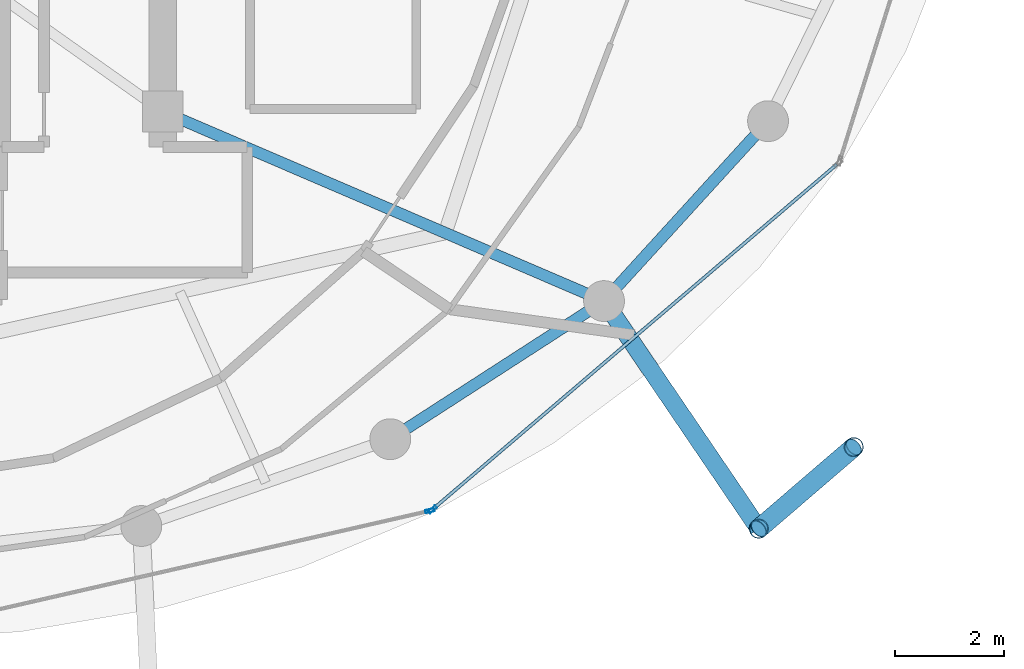
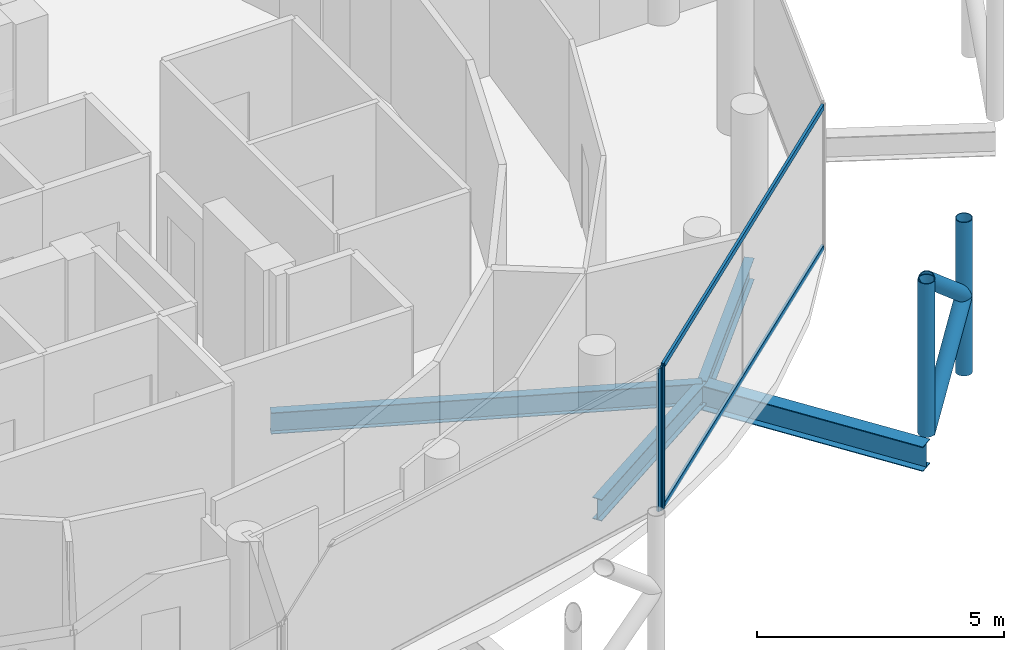
# One storey, part 9 of 24: 8 members, 4 beams, 2 elements without a shape of their own.
"""IFC4 building model written with IfcOpenShell, lengths in metres."""

from ifc_helpers import new_model, si_unit, direction, frame, origin, origin_2d, place, context, subcontext, project, spatial, hollow_rectangle, hollow_circle, i_section, extrude, material, layer, layer_set, material_profile, profile_set, type_object, element, aggregate, save


model = new_model("IFC4")

# Units and contexts
model_context = context("Model", 3, precision=1e-05, world=origin(), true_north=direction((0.0, 1.0)))
body_context = subcontext(model_context, "Body", "Model", "MODEL_VIEW")
ifc_project = project(units=[si_unit("LENGTHUNIT", "METRE"), si_unit("AREAUNIT", "SQUARE_METRE"), si_unit("VOLUMEUNIT", "CUBIC_METRE"), si_unit("PLANEANGLEUNIT", "RADIAN"), si_unit("MASSUNIT", "GRAM", prefix="KILO")], contexts=[model_context])

# Site, building, storey
site_placement = place(None, origin())
site = spatial("IfcSite", under=ifc_project, at=site_placement, CompositionType="ELEMENT")
building_placement = place(site_placement, origin())
building = spatial("IfcBuilding", under=site, at=building_placement, Name="Nuhasar Tower", CompositionType="ELEMENT")
storey_placement = place(building_placement, frame((0.0, 0.0, 274.60009765625)))
storey = spatial("IfcBuildingStorey", under=building, at=storey_placement, Name="L68", CompositionType="ELEMENT", Elevation=274.60009765625)

# Beams
ifc_material_1 = material(Name="Steel S355", Category="steel")
ifc_material_profile_1 = material_profile(ifc_material_1, i_section(OverallWidth=0.208984375, OverallDepth=0.528076171875, WebThickness=0.009521484375, FlangeThickness=0.01318359375, at=origin_2d()), Name="W21X55")
ifc_profile_set_1 = profile_set([ifc_material_profile_1], Name="Steel S355")
beam_type_1 = type_object("IfcBeamType", Name="BM-RAD-W21X55", PredefinedType="BEAM", material=ifc_profile_set_1)
beam_1_placement = place(storey_placement, frame((44.300048828125, 19.0, -0.524169921875), z_axis=(0.91887119061, -0.394557644797, 0.0), x_axis=(0.394557644797, 0.91887119061, 0.0)))
element("IfcBeam", 1, at=beam_1_placement, inside=storey, type_object=beam_type_1, Name="L68 Radial Floor Girder 03", PredefinedType="BEAM", context=body_context, shape_type="SweptSolid", body=[
    extrude(i_section(OverallWidth=0.208984375, OverallDepth=0.528076171875, WebThickness=0.009521484375, FlangeThickness=0.01318359375, at=origin_2d()), origin(), (0.0, 0.0, 1.0), 8.81494140625),
])
ifc_material_profile_2 = material_profile(ifc_material_1, i_section(OverallWidth=0.2099609375, OverallDepth=0.537109375, WebThickness=0.010986328125, FlangeThickness=0.017333984375, at=origin_2d()), Name="W21X68")
ifc_profile_set_2 = profile_set([ifc_material_profile_2], Name="Steel S355")
beam_type_2 = type_object("IfcBeamType", Name="BM-RING-W21X68", PredefinedType="SPANDREL", material=ifc_profile_set_2)
beam_2_placement = place(storey_placement, frame((48.47509765625, 12.987060546875, -0.529052734375), z_axis=(0.840025485934, 0.542546940809, 0.0), x_axis=(-0.542546940809, 0.840025485934, 0.0)))
element("IfcBeam", 2, at=beam_2_placement, inside=storey, type_object=beam_type_2, Name="L68 Perimeter Ring Spandrel 21", PredefinedType="SPANDREL", context=body_context, shape_type="SweptSolid", body=[
    extrude(i_section(OverallWidth=0.2099609375, OverallDepth=0.537109375, WebThickness=0.010986328125, FlangeThickness=0.017333984375, at=origin_2d()), origin(), (0.0, 0.0, 1.0), 4.67236328125),
])
beam_3_placement = place(storey_placement, frame((52.39990234375, 15.52197265625, -0.529052734375), z_axis=(0.673686302939, 0.739017432293, 0.0), x_axis=(-0.739017432293, 0.673686302939, 0.0)))
element("IfcBeam", 3, at=beam_3_placement, inside=storey, type_object=beam_type_2, Name="L68 Perimeter Ring Spandrel 22", PredefinedType="SPANDREL", context=body_context, shape_type="SweptSolid", body=[
    extrude(i_section(OverallWidth=0.2099609375, OverallDepth=0.537109375, WebThickness=0.010986328125, FlangeThickness=0.017333984375, at=origin_2d()), origin(), (0.0, 0.0, 1.0), 4.469482421875),
])
ifc_material_profile_3 = material_profile(ifc_material_1, i_section(OverallWidth=0.323974609375, OverallDepth=0.611083984375, WebThickness=0.0126953125, FlangeThickness=0.01904296875, at=origin_2d()), Name="W24X104")
ifc_profile_set_3 = profile_set([ifc_material_profile_3], Name="Steel S355")
beam_type_3 = type_object("IfcBeamType", Name="BM-TIE-W24X104", PredefinedType="BEAM", material=ifc_profile_set_3)
beam_4_placement = place(storey_placement, frame((52.39990234375, 15.52197265625, -0.566162109375), z_axis=(0.562093254487, -0.827073862034, 0.0), x_axis=(0.827073862034, 0.562093254487, 0.0)))
element("IfcBeam", 4, at=beam_4_placement, inside=storey, type_object=beam_type_3, Name="L68 Exoskeleton Node Tie Beam 11", PredefinedType="BEAM", context=body_context, shape_type="SweptSolid", body=[
    extrude(i_section(OverallWidth=0.323974609375, OverallDepth=0.611083984375, WebThickness=0.0126953125, FlangeThickness=0.01904296875, at=origin_2d()), origin(), (0.0, 0.0, 1.0), 5.052734375),
])

# Curtain wall, member
ifc_material_2 = material(Name="Aluminium 6063-T6", Category="aluminium")
ifc_layer = layer(ifc_material_2, 0.18994140625)
ifc_layer_set = layer_set([ifc_layer], Name="Aluminium 6063-T6")
curtain_wall_type = type_object("IfcCurtainWallType", Name="CW-Z4-PEN", PredefinedType="NOTDEFINED", material=ifc_layer_set)
curtain_wall_1_placement = place(storey_placement, origin())
curtain_wall_1 = element("IfcCurtainWall", 5, at=curtain_wall_1_placement, inside=storey, type_object=curtain_wall_type, Name="L68 Unitised Curtain Wall 10", PredefinedType="NOTDEFINED")
ifc_material_profile_4 = material_profile(ifc_material_2, hollow_rectangle(XDim=0.06005859375, YDim=0.1650390625, WallThickness=0.0048828125, at=origin_2d()), Name="CWM-5")
ifc_profile_set_4 = profile_set([ifc_material_profile_4], Name="Aluminium 6063-T6")
member_type_1 = type_object("IfcMemberType", Name="CW-MUL-S5", PredefinedType="MULLION", material=ifc_profile_set_4)
member_1_placement = place(storey_placement, frame((49.20068359375, 11.67236328125, 0.0), z_axis=(0.0, 0.0, 1.0), x_axis=(-0.222889487645, 0.97484371891, 0.0)))
member_1 = element("IfcMember", 6, at=member_1_placement, type_object=member_type_1, Name="CW-Z4 mullion 2", PredefinedType="MULLION", context=body_context, shape_type="SweptSolid", body=[
    extrude(hollow_rectangle(XDim=0.06005859375, YDim=0.1650390625, WallThickness=0.0048828125, at=origin_2d()), origin(), (0.0, 0.0, 1.0), 3.539794921875),
])
aggregate(curtain_wall_1, [member_1])

# Curtain wall, members
curtain_wall_2_placement = place(storey_placement, origin())
curtain_wall_2 = element("IfcCurtainWall", 7, at=curtain_wall_2_placement, inside=storey, type_object=curtain_wall_type, Name="L68 Unitised Curtain Wall 11", PredefinedType="NOTDEFINED")
member_2_placement = place(storey_placement, frame((49.2529296875, 11.698486328125, 0.0), z_axis=(0.0, 0.0, 1.0), x_axis=(-0.649141996205, 0.760667252327, 0.0)))
member_2 = element("IfcMember", 8, at=member_2_placement, type_object=member_type_1, Name="CW-Z4 mullion 1", PredefinedType="MULLION", context=body_context, shape_type="SweptSolid", body=[
    extrude(hollow_rectangle(XDim=0.06005859375, YDim=0.1650390625, WallThickness=0.0048828125, at=origin_2d()), origin(), (0.0, 0.0, 1.0), 3.539794921875),
])
ifc_material_profile_5 = material_profile(ifc_material_2, hollow_rectangle(XDim=0.06005859375, YDim=0.135009765625, WallThickness=0.00439453125, at=origin_2d()), Name="CWT-5")
ifc_profile_set_5 = profile_set([ifc_material_profile_5], Name="Aluminium 6063-T6")
member_type_2 = type_object("IfcMemberType", Name="CW-TRN-S5", PredefinedType="USERDEFINED", material=ifc_profile_set_5)
member_3_placement = place(storey_placement, frame((49.275634765625, 11.718017578125, 0.02978515625), z_axis=(0.760672431431, 0.649135927261, 0.0), x_axis=(-0.649135927261, 0.760672431431, 0.0)))
member_3 = element("IfcMember", 9, at=member_3_placement, type_object=member_type_2, Name="CW-Z4 transom 1.1", ObjectType="TRANSOM", PredefinedType="USERDEFINED", context=body_context, shape_type="SweptSolid", body=[
    extrude(hollow_rectangle(XDim=0.06005859375, YDim=0.135009765625, WallThickness=0.00439453125, at=origin_2d()), origin(), (0.0, 0.0, 1.0), 9.72509765625),
])
member_4_placement = place(storey_placement, frame((49.275634765625, 11.718017578125, 3.510009765625), z_axis=(0.760672431431, 0.649135927261, 0.0), x_axis=(-0.649135927261, 0.760672431431, 0.0)))
member_4 = element("IfcMember", 10, at=member_4_placement, type_object=member_type_2, Name="CW-Z4 transom 1.2", ObjectType="TRANSOM", PredefinedType="USERDEFINED", context=body_context, shape_type="SweptSolid", body=[
    extrude(hollow_rectangle(XDim=0.06005859375, YDim=0.135009765625, WallThickness=0.00439453125, at=origin_2d()), origin(), (0.0, 0.0, 1.0), 9.72509765625),
])
aggregate(curtain_wall_2, [member_2, member_3, member_4])

# Members
ifc_material_3 = material(Name="Steel S460", Category="steel")
ifc_material_profile_6 = material_profile(ifc_material_3, hollow_circle(Radius=0.177734375, WallThickness=0.015869140625, at=origin_2d()), Name="HSS355.6X15.9")
ifc_profile_set_6 = profile_set([ifc_material_profile_6], Name="Steel S460")
member_type_3 = type_object("IfcMemberType", Name="EXO-BRONZE-356", PredefinedType="BRACE", material=ifc_profile_set_6)
for number, where, z_axis, x_axis, name in (
    (11, (55.239990234375, 11.343017578125, 0.0), (0.0, 0.0, 1.0), (1.0, 0.0, 0.0), "L68 Exoskeleton Chord Column EC-11A"),
    (12, (56.98388671875, 12.842041015625, 0.0), (0.0, 0.0, 1.0), (1.0, 0.0, 0.0), "L68 Exoskeleton Chord Column EC-11B"),
):
    element("IfcMember", number, at=place(storey_placement, frame(where, z_axis=z_axis, x_axis=x_axis)), inside=storey, type_object=member_type_3, Name=name, PredefinedType="BRACE", context=body_context, shape_type="SweptSolid", body=[
        extrude(hollow_circle(Radius=0.177734375, WallThickness=0.015869140625, at=origin_2d()), origin(), (0.0, 0.0, 1.0), 3.7998046875),
    ])
for number, where, z_axis, x_axis, name in (
    (13, (55.239990234375, 11.343017578125, 0.0), (0.584625223306, 0.502533791278, 0.636924749792), (-0.65185738425, 0.758341579104, 0.0), "L68 Bronze Diagrid Brace W1-11"),
    (14, (56.98388671875, 12.842041015625, 1.89990234375), (-0.584625223306, -0.502533791278, 0.636924749792), (0.65185738425, -0.758341579104, 0.0), "L68 Bronze Diagrid Brace W2-11"),
):
    element("IfcMember", number, at=place(storey_placement, frame(where, z_axis=z_axis, x_axis=x_axis)), inside=storey, type_object=member_type_3, Name=name, PredefinedType="BRACE", context=body_context, shape_type="SweptSolid", body=[
        extrude(hollow_circle(Radius=0.177734375, WallThickness=0.015869140625, at=origin_2d()), origin(), (0.0, 0.0, 1.0), 2.98291015625),
    ])

save(model, "model.ifc")
